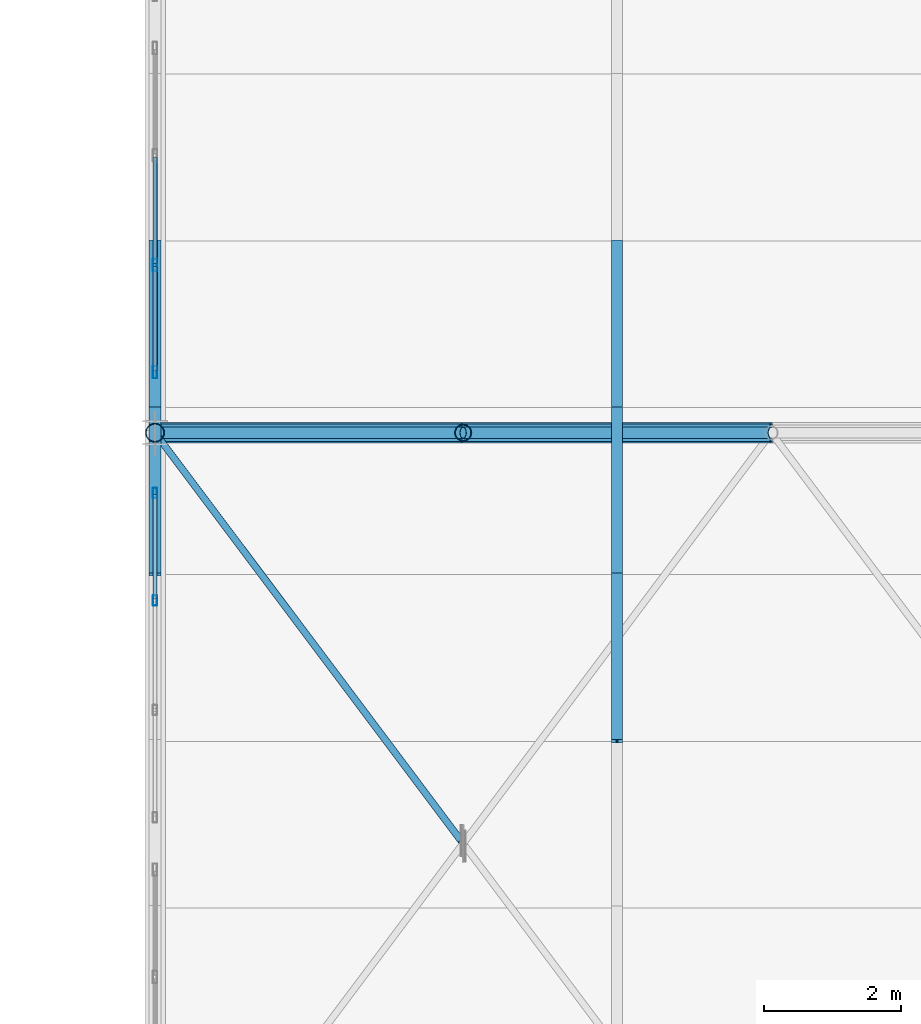
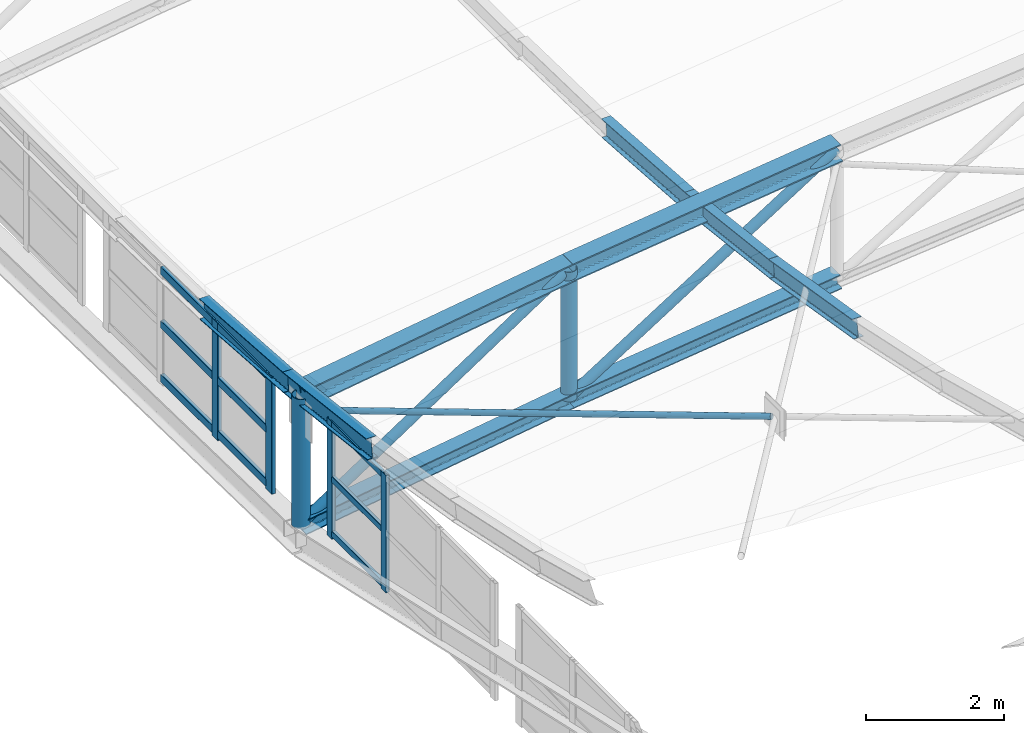
# One storey, part 81 of 262: 27 members, 2 elements without a shape of their own.
"""IFC4 building model written with IfcOpenShell, lengths in metres."""

from ifc_helpers import new_model, si_unit, derived_unit, direction, frame, origin, origin_2d, place, context, subcontext, project, spatial, hollow_rectangle, hollow_circle, i_section, extrude, material, layer, layer_set, material_profile, profile_set, type_object, element, aggregate, save


model = new_model("IFC4")

# Units and contexts
model_context = context("Model", 3, precision=1e-05, world=origin(), true_north=direction((0.0, 1.0)))
body_context = subcontext(model_context, "Body", "Model", "MODEL_VIEW")
ifc_project = project(units=[si_unit("LENGTHUNIT", "METRE"), si_unit("AREAUNIT", "SQUARE_METRE"), si_unit("VOLUMEUNIT", "CUBIC_METRE"), si_unit("PLANEANGLEUNIT", "RADIAN"), si_unit("MASSUNIT", "GRAM", prefix="KILO"), derived_unit("THERMALTRANSMITTANCEUNIT", [(si_unit("POWERUNIT", "WATT"), 1), (si_unit("LENGTHUNIT", "METRE"), -2), (si_unit("THERMODYNAMICTEMPERATUREUNIT", "KELVIN"), -1)])], contexts=[model_context])

# Site, building, storey
site_placement = place(None, origin())
site = spatial("IfcSite", under=ifc_project, at=site_placement, CompositionType="ELEMENT")
building_placement = place(site_placement, origin())
building = spatial("IfcBuilding", under=site, at=building_placement, Name="Almenara Railside Exhibition Hall", CompositionType="ELEMENT")
storey_placement = place(building_placement, frame((0.0, 0.0, 21.699951171875)))
storey = spatial("IfcBuildingStorey", under=building, at=storey_placement, Name="RF", CompositionType="ELEMENT", Elevation=21.699951171875)

# Members
ifc_material_1 = material(Name="Structural steel S355JR", Category="steel")
ifc_material_profile_1 = material_profile(ifc_material_1, i_section(OverallWidth=0.260009765625, OverallDepth=0.260009765625, WebThickness=0.010009765625, FlangeThickness=0.017578125, FilletRadius=0.02392578125, at=origin_2d()), Name="HEB 260")
ifc_profile_set_1 = profile_set([ifc_material_profile_1], Name="Structural steel S355JR")
member_type_1 = type_object("IfcMemberType", Name="Arched Truss Bottom Chord HEB 260 S355JR", PredefinedType="CHORD", material=ifc_profile_set_1)
member_1_placement = place(storey_placement, frame((12.0, 72.0, -2.13525390625), z_axis=(0.989021203369, 0.0, 0.147773675894), x_axis=(0.0, 1.0, 0.0)))
element("IfcMember", 1, at=member_1_placement, inside=storey, type_object=member_type_1, Name="MEM-BC-V1-02-00", PredefinedType="CHORD", context=body_context, shape_type="SweptSolid", body=[
    extrude(i_section(OverallWidth=0.260009765625, OverallDepth=0.260009765625, WebThickness=0.010009765625, FlangeThickness=0.017578125, FilletRadius=0.02392578125, at=origin_2d()), origin(), (0.0, 0.0, 1.0), 4.550048828125),
])
member_2_placement = place(storey_placement, frame((16.5, 72.0, -1.462890625), z_axis=(0.992618705116, 0.0, 0.12127698155), x_axis=(0.0, 1.0, 0.0)))
element("IfcMember", 2, at=member_2_placement, inside=storey, type_object=member_type_1, Name="MEM-BC-V1-02-01", PredefinedType="CHORD", context=body_context, shape_type="SweptSolid", body=[
    extrude(i_section(OverallWidth=0.260009765625, OverallDepth=0.260009765625, WebThickness=0.010009765625, FlangeThickness=0.017578125, FilletRadius=0.02392578125, at=origin_2d()), origin(), (0.0, 0.0, 1.0), 4.533447265625),
])
ifc_material_profile_2 = material_profile(ifc_material_1, i_section(OverallWidth=0.300048828125, OverallDepth=0.320068359375, WebThickness=0.011474609375, FlangeThickness=0.0205078125, FilletRadius=0.027099609375, at=origin_2d()), Name="HEB 320")
ifc_profile_set_2 = profile_set([ifc_material_profile_2], Name="Structural steel S355JR")
member_type_2 = type_object("IfcMemberType", Name="Arched Truss Top Chord HEB 320 S355JR", PredefinedType="CHORD", material=ifc_profile_set_2)
member_3_placement = place(storey_placement, frame((12.0, 72.0, 0.164794921875), z_axis=(0.9890290442, 0.0, 0.147721189165), x_axis=(0.0, 1.0, 0.0)))
element("IfcMember", 3, at=member_3_placement, inside=storey, type_object=member_type_2, Name="MEM-TC-V1-02-00", PredefinedType="CHORD", context=body_context, shape_type="SweptSolid", body=[
    extrude(i_section(OverallWidth=0.300048828125, OverallDepth=0.320068359375, WebThickness=0.011474609375, FlangeThickness=0.0205078125, FilletRadius=0.027099609375, at=origin_2d()), origin(), (0.0, 0.0, 1.0), 4.5498046875),
])
member_4_placement = place(storey_placement, frame((16.5, 72.0, 0.8369140625), z_axis=(0.992612220818, 0.0, 0.121330041965), x_axis=(0.0, 1.0, 0.0)))
element("IfcMember", 4, at=member_4_placement, inside=storey, type_object=member_type_2, Name="MEM-TC-V1-02-01", PredefinedType="CHORD", context=body_context, shape_type="SweptSolid", body=[
    extrude(i_section(OverallWidth=0.300048828125, OverallDepth=0.320068359375, WebThickness=0.011474609375, FlangeThickness=0.0205078125, FilletRadius=0.027099609375, at=origin_2d()), origin(), (0.0, 0.0, 1.0), 4.533447265625),
])

# Curtain wall, members
ifc_material_2 = material(Name="Bronze-anodised aluminium and low-E double glazing", Category="aluminium")
ifc_layer = layer(ifc_material_2, 0.179931640625, Name="Bronze-anodised aluminium and low-E double glazing")
ifc_layer_set = layer_set([ifc_layer], Name="Bronze-anodised aluminium and low-E double glazing")
curtain_wall_type = type_object("IfcCurtainWallType", Name="West Hall Clerestory Curtain Wall 4200x2400", PredefinedType="NOTDEFINED", material=ifc_layer_set)
curtain_wall_1_placement = place(storey_placement, origin())
curtain_wall_1 = element("IfcCurtainWall", 5, at=curtain_wall_1_placement, inside=storey, type_object=curtain_wall_type, Name="Curtain wall CW-CL1-173", PredefinedType="NOTDEFINED")
ifc_material_3 = material(Name="Bronze-anodised aluminium", Category="aluminium")
ifc_material_profile_3 = material_profile(ifc_material_3, hollow_rectangle(XDim=0.06005859375, YDim=0.14990234375, WallThickness=0.00341796875, InnerFilletRadius=0.00341796875, OuterFilletRadius=0.007080078125, at=origin_2d()), Name="ALU-MUL 60x150x3.5")
ifc_profile_set_3 = profile_set([ifc_material_profile_3], Name="Bronze-anodised aluminium")
member_type_3 = type_object("IfcMemberType", Name="Curtain Wall Mullion 60x150x3.5", PredefinedType="MULLION", material=ifc_profile_set_3)
member_5_placement = place(storey_placement, frame((12.0, 69.550048828125, -1.824951171875), z_axis=(0.0, 0.0, 1.0), x_axis=(-1.0, 0.0, 0.0)))
member_5 = element("IfcMember", 6, at=member_5_placement, type_object=member_type_3, Name="CW-CL1-173 mullion 3", PredefinedType="MULLION", context=body_context, shape_type="SweptSolid", body=[
    extrude(hollow_rectangle(XDim=0.06005859375, YDim=0.14990234375, WallThickness=0.00341796875, InnerFilletRadius=0.00341796875, OuterFilletRadius=0.007080078125, at=origin_2d()), origin(), (0.0, 0.0, 1.0), 2.0849609375),
])
member_6_placement = place(storey_placement, frame((12.0, 71.1201171875, -1.824951171875), z_axis=(0.0, 0.0, 1.0), x_axis=(-1.0, 0.0, 0.0)))
member_6 = element("IfcMember", 7, at=member_6_placement, type_object=member_type_3, Name="CW-CL1-173 mullion 4", PredefinedType="MULLION", context=body_context, shape_type="SweptSolid", body=[
    extrude(hollow_rectangle(XDim=0.06005859375, YDim=0.14990234375, WallThickness=0.00341796875, InnerFilletRadius=0.00341796875, OuterFilletRadius=0.007080078125, at=origin_2d()), origin(), (0.0, 0.0, 1.0), 2.0849609375),
])

curtain_wall_2_placement = place(storey_placement, origin())
curtain_wall_2 = element("IfcCurtainWall", 8, at=curtain_wall_2_placement, inside=storey, type_object=curtain_wall_type, Name="Curtain wall CW-CL1-176", PredefinedType="NOTDEFINED")
ifc_material_profile_4 = material_profile(ifc_material_3, hollow_rectangle(XDim=0.06494140625, YDim=0.179931640625, WallThickness=0.00390625, InnerFilletRadius=0.00390625, OuterFilletRadius=0.008056640625, at=origin_2d()), Name="ALU-MUL 65x180x4")
ifc_profile_set_4 = profile_set([ifc_material_profile_4], Name="Bronze-anodised aluminium")
member_type_4 = type_object("IfcMemberType", Name="Curtain Wall Mullion 65x180x4", PredefinedType="MULLION", material=ifc_profile_set_4)
member_7_placement = place(storey_placement, frame((12.0, 72.882568359375, -2.0849609375), z_axis=(0.0, 0.0, 1.0), x_axis=(-1.0, 0.0, 0.0)))
member_7 = element("IfcMember", 9, at=member_7_placement, type_object=member_type_4, Name="CW-CL1-176 mullion 1", PredefinedType="MULLION", context=body_context, shape_type="SweptSolid", body=[
    extrude(hollow_rectangle(XDim=0.06494140625, YDim=0.179931640625, WallThickness=0.00390625, InnerFilletRadius=0.00390625, OuterFilletRadius=0.008056640625, at=origin_2d()), origin(), (0.0, 0.0, 1.0), 2.0849609375),
])
member_8_placement = place(storey_placement, frame((12.0, 74.449951171875, -2.0849609375), z_axis=(0.0, 0.0, 1.0), x_axis=(-1.0, 0.0, 0.0)))
member_8 = element("IfcMember", 10, at=member_8_placement, type_object=member_type_4, Name="CW-CL1-176 mullion 2", PredefinedType="MULLION", context=body_context, shape_type="SweptSolid", body=[
    extrude(hollow_rectangle(XDim=0.06494140625, YDim=0.179931640625, WallThickness=0.00390625, InnerFilletRadius=0.00390625, OuterFilletRadius=0.008056640625, at=origin_2d()), origin(), (0.0, 0.0, 1.0), 2.0849609375),
])

# Member
ifc_material_profile_5 = material_profile(ifc_material_3, hollow_rectangle(XDim=0.06005859375, YDim=0.110107421875, WallThickness=0.0029296875, InnerFilletRadius=0.0029296875, OuterFilletRadius=0.006103515625, at=origin_2d()), Name="ALU-TRN 60x110x3")
ifc_profile_set_5 = profile_set([ifc_material_profile_5], Name="Bronze-anodised aluminium")
member_type_5 = type_object("IfcMemberType", Name="Curtain Wall Transom 60x110x3", PredefinedType="USERDEFINED", material=ifc_profile_set_5)
member_9_placement = place(storey_placement, frame((12.0, 69.572021484375, -1.73486328125), z_axis=(0.0, 1.0, 0.0), x_axis=(-1.0, 0.0, 0.0)))
member_9 = element("IfcMember", 11, at=member_9_placement, type_object=member_type_5, Name="CW-CL1-173 transom 3.1", ObjectType="TRANSOM", PredefinedType="USERDEFINED", context=body_context, shape_type="SweptSolid", body=[
    extrude(hollow_rectangle(XDim=0.06005859375, YDim=0.110107421875, WallThickness=0.0029296875, InnerFilletRadius=0.0029296875, OuterFilletRadius=0.006103515625, at=origin_2d()), origin(), (0.0, 0.0, 1.0), 1.52587890625),
])

member_10_placement = place(storey_placement, frame((12.0, 69.572021484375, -0.764892578125), z_axis=(0.0, 1.0, 0.0), x_axis=(-1.0, 0.0, 0.0)))
member_10 = element("IfcMember", 12, at=member_10_placement, type_object=member_type_5, Name="CW-CL1-173 transom 3.2", ObjectType="TRANSOM", PredefinedType="USERDEFINED", context=body_context, shape_type="SweptSolid", body=[
    extrude(hollow_rectangle(XDim=0.06005859375, YDim=0.110107421875, WallThickness=0.0029296875, InnerFilletRadius=0.0029296875, OuterFilletRadius=0.006103515625, at=origin_2d()), origin(), (0.0, 0.0, 1.0), 1.52587890625),
])

member_11_placement = place(storey_placement, frame((12.0, 69.572021484375, 0.205078125), z_axis=(0.0, 1.0, 0.0), x_axis=(-1.0, 0.0, 0.0)))
member_11 = element("IfcMember", 13, at=member_11_placement, type_object=member_type_5, Name="CW-CL1-173 transom 3.3", ObjectType="TRANSOM", PredefinedType="USERDEFINED", context=body_context, shape_type="SweptSolid", body=[
    extrude(hollow_rectangle(XDim=0.06005859375, YDim=0.110107421875, WallThickness=0.0029296875, InnerFilletRadius=0.0029296875, OuterFilletRadius=0.006103515625, at=origin_2d()), origin(), (0.0, 0.0, 1.0), 1.52587890625),
])

aggregate(curtain_wall_1, [member_5, member_6, member_9, member_10, member_11])

ifc_material_profile_6 = material_profile(ifc_material_3, hollow_rectangle(XDim=0.06494140625, YDim=0.139892578125, WallThickness=0.00341796875, InnerFilletRadius=0.00341796875, OuterFilletRadius=0.007080078125, at=origin_2d()), Name="ALU-TRN 65x140x3.5")
ifc_profile_set_6 = profile_set([ifc_material_profile_6], Name="Bronze-anodised aluminium")
member_type_6 = type_object("IfcMemberType", Name="Curtain Wall Transom 65x140x3.5", PredefinedType="USERDEFINED", material=ifc_profile_set_6)
member_12_placement = place(storey_placement, frame((12.0, 72.906982421875, -1.97998046875), z_axis=(0.0, 1.0, 0.0), x_axis=(-1.0, 0.0, 0.0)))
member_12 = element("IfcMember", 14, at=member_12_placement, type_object=member_type_6, Name="CW-CL1-176 transom 1.1", ObjectType="TRANSOM", PredefinedType="USERDEFINED", context=body_context, shape_type="SweptSolid", body=[
    extrude(hollow_rectangle(XDim=0.06494140625, YDim=0.139892578125, WallThickness=0.00341796875, InnerFilletRadius=0.00341796875, OuterFilletRadius=0.007080078125, at=origin_2d()), origin(), (0.0, 0.0, 1.0), 1.5185546875),
])

member_13_placement = place(storey_placement, frame((12.0, 72.906982421875, -1.02490234375), z_axis=(0.0, 1.0, 0.0), x_axis=(-1.0, 0.0, 0.0)))
member_13 = element("IfcMember", 15, at=member_13_placement, type_object=member_type_6, Name="CW-CL1-176 transom 1.2", ObjectType="TRANSOM", PredefinedType="USERDEFINED", context=body_context, shape_type="SweptSolid", body=[
    extrude(hollow_rectangle(XDim=0.06494140625, YDim=0.139892578125, WallThickness=0.00341796875, InnerFilletRadius=0.00341796875, OuterFilletRadius=0.007080078125, at=origin_2d()), origin(), (0.0, 0.0, 1.0), 1.5185546875),
])

member_14_placement = place(storey_placement, frame((12.0, 72.906982421875, -0.070068359375), z_axis=(0.0, 1.0, 0.0), x_axis=(-1.0, 0.0, 0.0)))
member_14 = element("IfcMember", 16, at=member_14_placement, type_object=member_type_6, Name="CW-CL1-176 transom 1.3", ObjectType="TRANSOM", PredefinedType="USERDEFINED", context=body_context, shape_type="SweptSolid", body=[
    extrude(hollow_rectangle(XDim=0.06494140625, YDim=0.139892578125, WallThickness=0.00341796875, InnerFilletRadius=0.00341796875, OuterFilletRadius=0.007080078125, at=origin_2d()), origin(), (0.0, 0.0, 1.0), 1.5185546875),
])

member_15_placement = place(storey_placement, frame((12.0, 74.474609375, -1.97998046875), z_axis=(0.0, 1.0, 0.0), x_axis=(-1.0, 0.0, 0.0)))
member_15 = element("IfcMember", 17, at=member_15_placement, type_object=member_type_6, Name="CW-CL1-176 transom 2.1", ObjectType="TRANSOM", PredefinedType="USERDEFINED", context=body_context, shape_type="SweptSolid", body=[
    extrude(hollow_rectangle(XDim=0.06494140625, YDim=0.139892578125, WallThickness=0.00341796875, InnerFilletRadius=0.00341796875, OuterFilletRadius=0.007080078125, at=origin_2d()), origin(), (0.0, 0.0, 1.0), 1.55078125),
])

member_16_placement = place(storey_placement, frame((12.0, 74.474609375, -1.02490234375), z_axis=(0.0, 1.0, 0.0), x_axis=(-1.0, 0.0, 0.0)))
member_16 = element("IfcMember", 18, at=member_16_placement, type_object=member_type_6, Name="CW-CL1-176 transom 2.2", ObjectType="TRANSOM", PredefinedType="USERDEFINED", context=body_context, shape_type="SweptSolid", body=[
    extrude(hollow_rectangle(XDim=0.06494140625, YDim=0.139892578125, WallThickness=0.00341796875, InnerFilletRadius=0.00341796875, OuterFilletRadius=0.007080078125, at=origin_2d()), origin(), (0.0, 0.0, 1.0), 1.55078125),
])

member_17_placement = place(storey_placement, frame((12.0, 74.474609375, -0.070068359375), z_axis=(0.0, 1.0, 0.0), x_axis=(-1.0, 0.0, 0.0)))
member_17 = element("IfcMember", 19, at=member_17_placement, type_object=member_type_6, Name="CW-CL1-176 transom 2.3", ObjectType="TRANSOM", PredefinedType="USERDEFINED", context=body_context, shape_type="SweptSolid", body=[
    extrude(hollow_rectangle(XDim=0.06494140625, YDim=0.139892578125, WallThickness=0.00341796875, InnerFilletRadius=0.00341796875, OuterFilletRadius=0.007080078125, at=origin_2d()), origin(), (0.0, 0.0, 1.0), 1.55078125),
])

aggregate(curtain_wall_2, [member_7, member_8, member_12, member_13, member_14, member_15, member_16, member_17])

# Members
ifc_material_profile_7 = material_profile(ifc_material_1, i_section(OverallWidth=0.159912109375, OverallDepth=0.330078125, WebThickness=0.007568359375, FlangeThickness=0.011474609375, FilletRadius=0.01806640625, at=origin_2d()), Name="IPE 330")
ifc_profile_set_7 = profile_set([ifc_material_profile_7], Name="Structural steel S355JR")
member_type_7 = type_object("IfcMemberType", Name="Gable Bay Purlin IPE 330 S355JR", PredefinedType="PURLIN", material=ifc_profile_set_7)
member_18_placement = place(storey_placement, frame((18.75, 67.49365234375, 1.71044921875), z_axis=(0.0, 0.986449960692, -0.164062412058), x_axis=(-1.0, 0.0, 0.0)))
element("IfcMember", 20, at=member_18_placement, inside=storey, type_object=member_type_7, Name="MEM-PR-V1-PR-IPE330-01-08", PredefinedType="PURLIN", context=body_context, shape_type="SweptSolid", body=[
    extrude(i_section(OverallWidth=0.159912109375, OverallDepth=0.330078125, WebThickness=0.007568359375, FlangeThickness=0.011474609375, FilletRadius=0.01806640625, at=origin_2d()), origin(), (0.0, 0.0, 1.0), 2.47021484375),
])
member_19_placement = place(storey_placement, frame((18.75, 69.930419921875, 1.3076171875), z_axis=(0.0, 0.993105700961, -0.117222296166), x_axis=(-1.0, 0.0, 0.0)))
element("IfcMember", 21, at=member_19_placement, inside=storey, type_object=member_type_7, Name="MEM-PR-V1-PR-IPE330-01-09", PredefinedType="PURLIN", context=body_context, shape_type="SweptSolid", body=[
    extrude(i_section(OverallWidth=0.159912109375, OverallDepth=0.330078125, WebThickness=0.007568359375, FlangeThickness=0.011474609375, FilletRadius=0.01806640625, at=origin_2d()), origin(), (0.0, 0.0, 1.0), 2.453369140625),
])
member_20_placement = place(storey_placement, frame((18.75, 72.366943359375, 1.021728515625), z_axis=(0.0, 0.997528729247, -0.070259763216), x_axis=(-1.0, 0.0, 0.0)))
element("IfcMember", 22, at=member_20_placement, inside=storey, type_object=member_type_7, Name="MEM-PR-V1-PR-IPE330-01-10", PredefinedType="PURLIN", context=body_context, shape_type="SweptSolid", body=[
    extrude(i_section(OverallWidth=0.159912109375, OverallDepth=0.330078125, WebThickness=0.007568359375, FlangeThickness=0.011474609375, FilletRadius=0.01806640625, at=origin_2d()), origin(), (0.0, 0.0, 1.0), 2.44287109375),
])
ifc_material_profile_8 = material_profile(ifc_material_1, i_section(OverallWidth=0.169921875, OverallDepth=0.360107421875, WebThickness=0.008056640625, FlangeThickness=0.0126953125, FilletRadius=0.01806640625, at=origin_2d()), Name="IPE 360")
ifc_profile_set_8 = profile_set([ifc_material_profile_8], Name="Structural steel S355JR")
member_type_8 = type_object("IfcMemberType", Name="Long-Span Scroll Purlin IPE 360 S355JR", PredefinedType="PURLIN", material=ifc_profile_set_8)
member_21_placement = place(storey_placement, frame((12.0, 69.930419921875, 0.463623046875), z_axis=(0.0, 0.993105700961, -0.117222296166), x_axis=(-1.0, 0.0, 0.0)))
element("IfcMember", 23, at=member_21_placement, inside=storey, type_object=member_type_8, Name="MEM-PR-V1-PR-IPE360-00-09", PredefinedType="PURLIN", context=body_context, shape_type="SweptSolid", body=[
    extrude(i_section(OverallWidth=0.169921875, OverallDepth=0.360107421875, WebThickness=0.008056640625, FlangeThickness=0.0126953125, FilletRadius=0.01806640625, at=origin_2d()), origin(), (0.0, 0.0, 1.0), 2.453369140625),
])
member_22_placement = place(storey_placement, frame((12.0, 72.366943359375, 0.177734375), z_axis=(0.0, 0.997521719737, -0.070359211571), x_axis=(-1.0, 0.0, 0.0)))
element("IfcMember", 24, at=member_22_placement, inside=storey, type_object=member_type_8, Name="MEM-PR-V1-PR-IPE360-00-10", PredefinedType="PURLIN", context=body_context, shape_type="SweptSolid", body=[
    extrude(i_section(OverallWidth=0.169921875, OverallDepth=0.360107421875, WebThickness=0.008056640625, FlangeThickness=0.0126953125, FilletRadius=0.01806640625, at=origin_2d()), origin(), (0.0, 0.0, 1.0), 2.44287109375),
])
ifc_material_profile_9 = material_profile(ifc_material_1, hollow_circle(Radius=0.05078125, WallThickness=0.00390625, at=origin_2d()), Name="CHS 101.6x4")
ifc_profile_set_9 = profile_set([ifc_material_profile_9], Name="Structural steel S355JR")
member_type_9 = type_object("IfcMemberType", Name="Scroll Wind Plan Brace CHS 101.6x4 S355JR", PredefinedType="BRACE", material=ifc_profile_set_9)
member_23_placement = place(storey_placement, frame((16.46826171875, 66.04248046875, 1.8203125), z_axis=(-0.580716303598, 0.774267251688, -0.25155277319), x_axis=(-0.799992131801, -0.600010490789, 0.0)))
element("IfcMember", 25, at=member_23_placement, inside=storey, type_object=member_type_9, Name="MEM-WB-V1-WB-CHS102-01-00-S2", PredefinedType="BRACE", context=body_context, shape_type="SweptSolid", body=[
    extrude(hollow_circle(Radius=0.05078125, WallThickness=0.00390625, at=origin_2d()), origin(), (0.0, 0.0, 1.0), 7.6943359375),
])
ifc_material_profile_10 = material_profile(ifc_material_1, hollow_circle(Radius=0.084228515625, WallThickness=0.006103515625, at=origin_2d()), Name="CHS 168.3x6")
ifc_profile_set_10 = profile_set([ifc_material_profile_10], Name="Structural steel S355JR")
member_type_10 = type_object("IfcMemberType", Name="Truss End Diagonal CHS 168.3x6 S355JR", PredefinedType="BRACE", material=ifc_profile_set_10)
member_24_placement = place(storey_placement, frame((12.0, 72.0, -2.13525390625), z_axis=(0.834424544227, 0.0, 0.551122200598), x_axis=(0.0, 1.0, 0.0)))
element("IfcMember", 26, at=member_24_placement, inside=storey, type_object=member_type_10, Name="MEM-TD-V1-02-00", PredefinedType="BRACE", context=body_context, shape_type="SweptSolid", body=[
    extrude(hollow_circle(Radius=0.084228515625, WallThickness=0.006103515625, at=origin_2d()), origin(), (0.0, 0.0, 1.0), 5.392822265625),
])
member_25_placement = place(storey_placement, frame((16.5, 72.0, -1.462890625), z_axis=(0.8448315064, 0.0, 0.535032453028), x_axis=(0.0, 1.0, 0.0)))
element("IfcMember", 27, at=member_25_placement, inside=storey, type_object=member_type_10, Name="MEM-TD-V1-02-01", PredefinedType="BRACE", context=body_context, shape_type="SweptSolid", body=[
    extrude(hollow_circle(Radius=0.084228515625, WallThickness=0.006103515625, at=origin_2d()), origin(), (0.0, 0.0, 1.0), 5.326416015625),
])
ifc_material_profile_11 = material_profile(ifc_material_1, hollow_circle(Radius=0.122314453125, WallThickness=0.008056640625, at=origin_2d()), Name="CHS 244.5x8")
ifc_profile_set_11 = profile_set([ifc_material_profile_11], Name="Structural steel S355JR")
member_type_11 = type_object("IfcMemberType", Name="Truss Haunch Vertical Strut CHS 244.5x8 S355JR", PredefinedType="BRACE", material=ifc_profile_set_11)
member_26_placement = place(storey_placement, frame((16.5, 72.0, -1.462890625), z_axis=(0.0, 0.0, 1.0), x_axis=(1.0, 0.0, 0.0)))
element("IfcMember", 28, at=member_26_placement, inside=storey, type_object=member_type_11, Name="MEM-TV-V1-02-01", PredefinedType="BRACE", context=body_context, shape_type="SweptSolid", body=[
    extrude(hollow_circle(Radius=0.122314453125, WallThickness=0.008056640625, at=origin_2d()), origin(), (0.0, 0.0, 1.0), 2.2998046875),
])
ifc_material_profile_12 = material_profile(ifc_material_1, hollow_circle(Radius=0.136474609375, WallThickness=0.008056640625, at=origin_2d()), Name="CHS 273x8")
ifc_profile_set_12 = profile_set([ifc_material_profile_12], Name="Structural steel S355JR")
member_type_12 = type_object("IfcMemberType", Name="Truss Support Vertical Strut CHS 273x8 S355JR", PredefinedType="BRACE", material=ifc_profile_set_12)
member_27_placement = place(storey_placement, frame((12.0, 72.0, -2.13525390625), z_axis=(0.0, 0.0, 1.0), x_axis=(1.0, 0.0, 0.0)))
element("IfcMember", 29, at=member_27_placement, inside=storey, type_object=member_type_12, Name="MEM-TV-V1-02-00", PredefinedType="BRACE", context=body_context, shape_type="SweptSolid", body=[
    extrude(hollow_circle(Radius=0.136474609375, WallThickness=0.008056640625, at=origin_2d()), origin(), (0.0, 0.0, 1.0), 2.300048828125),
])

save(model, "model.ifc")
